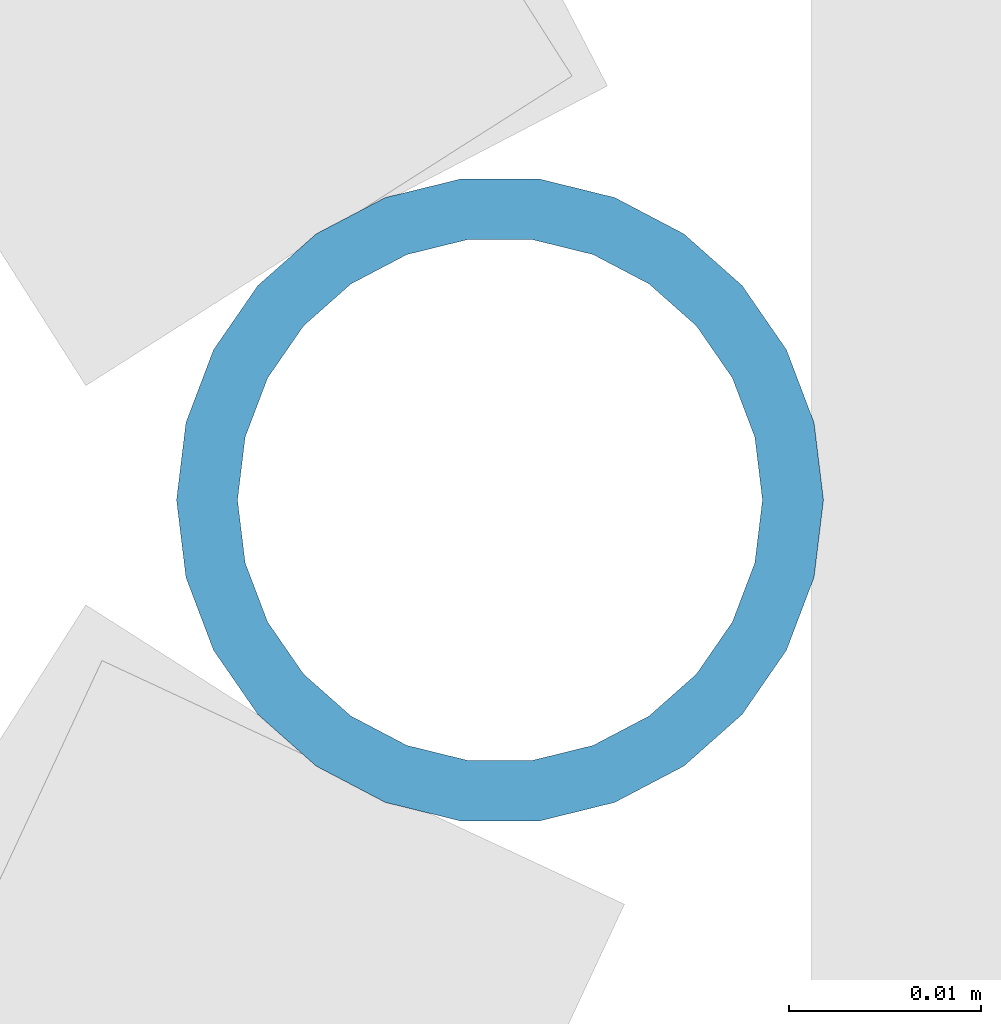
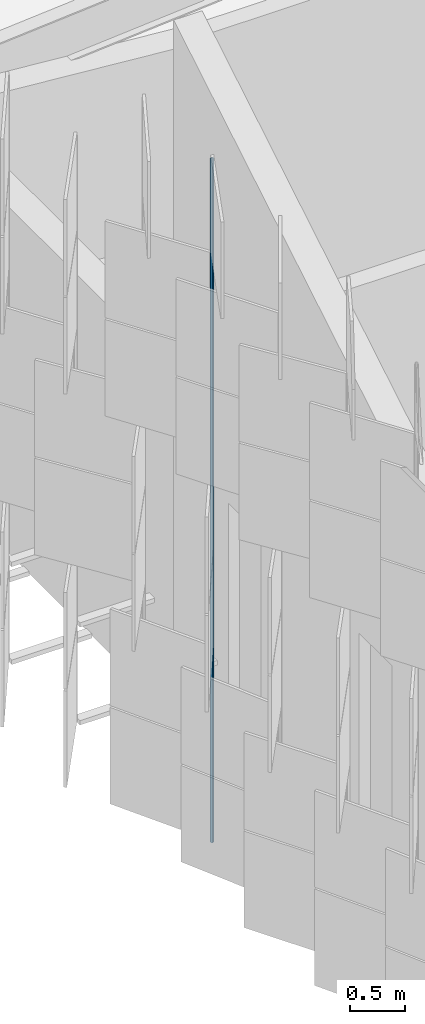
# One storey, part 194 of 483: 1 discrete accessory.
"""IFC4 building model written with IfcOpenShell, lengths in metres."""

from ifc_helpers import new_model, si_unit, direction, frame, origin, origin_2d, place, context, subcontext, project, spatial, hollow_circle, extrude, material, material_profile, profile_set, type_object, element, save


model = new_model("IFC4")

# Units and contexts
model_context = context("Model", 3, precision=1e-05, world=origin(), true_north=direction((0.0, 1.0)))
body_context = subcontext(model_context, "Body", "Model", "MODEL_VIEW")
ifc_project = project(units=[si_unit("LENGTHUNIT", "METRE"), si_unit("AREAUNIT", "SQUARE_METRE"), si_unit("VOLUMEUNIT", "CUBIC_METRE"), si_unit("PLANEANGLEUNIT", "RADIAN"), si_unit("MASSUNIT", "GRAM", prefix="KILO")], contexts=[model_context])

# Site, building, storey
site_placement = place(None, origin())
site = spatial("IfcSite", under=ifc_project, at=site_placement, CompositionType="ELEMENT")
building_placement = place(site_placement, origin())
building = spatial("IfcBuilding", under=site, at=building_placement, Name="Parallax Yard Mobility Hub", CompositionType="ELEMENT")
storey_placement = place(building_placement, frame((0.0, 0.0, 13.199951171875)))
storey = spatial("IfcBuildingStorey", under=building, at=storey_placement, Name="L04", CompositionType="ELEMENT", Elevation=13.199951171875)

# Discrete accessory
ifc_material = material(Name="Steel ASTM A500 Gr C, hot-dip galvanised", Category="steel")
ifc_material_profile = material_profile(ifc_material, hollow_circle(Radius=0.016845703125, WallThickness=0.003173828125, at=origin_2d()), Name="CHS 33.7x3.2")
ifc_profile_set = profile_set([ifc_material_profile], Name="Steel ASTM A500 Gr C, hot-dip galvanised")
discrete_accessory_type = type_object("IfcDiscreteAccessoryType", Name="Hinge post CHS 33.7x3.2", PredefinedType="BRACKET", material=ifc_profile_set)
discrete_accessory_placement = place(storey_placement, frame((194.307373046875, 83.098388671875, 0.0), z_axis=(0.0, 0.0, 1.0), x_axis=(1.0, 0.0, 0.0)))
element("IfcDiscreteAccessory", 1, at=discrete_accessory_placement, inside=storey, type_object=discrete_accessory_type, Name="Hinge post bay 23.7 level L04", PredefinedType="BRACKET", context=body_context, shape_type="SweptSolid", body=[
    extrude(hollow_circle(Radius=0.016845703125, WallThickness=0.003173828125, at=origin_2d()), origin(), (0.0, 0.0, 1.0), 7.650146484375),
])

save(model, "model.ifc")
